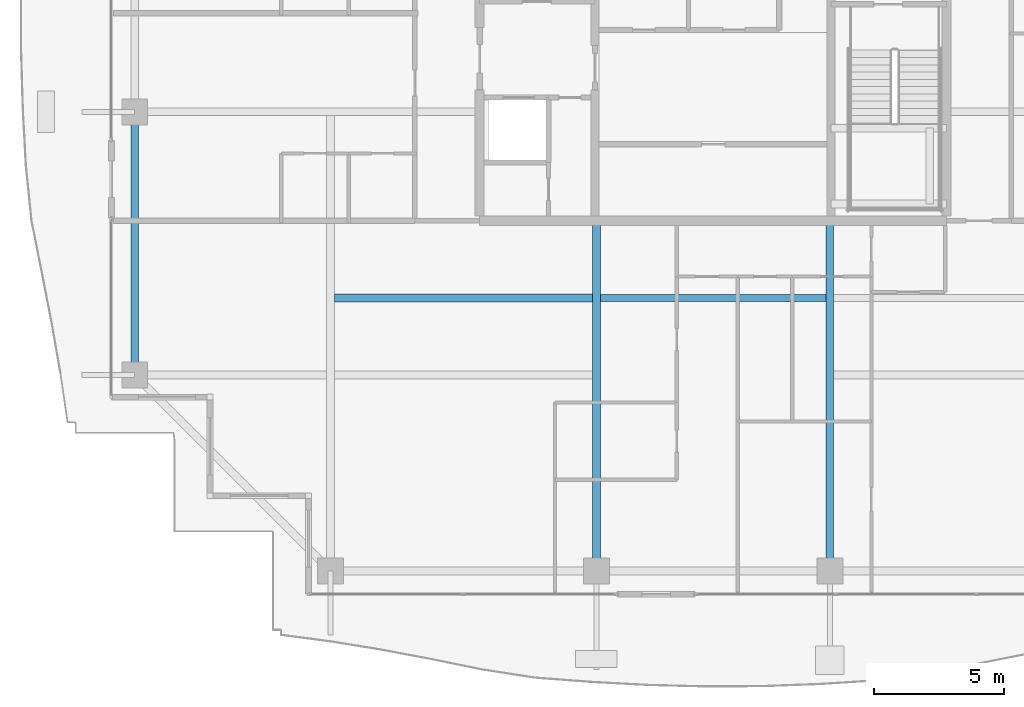
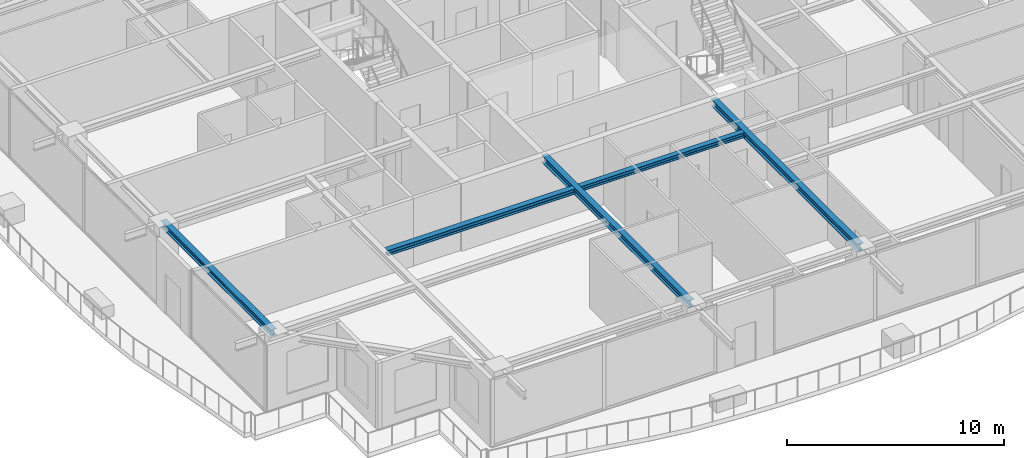
# One storey, part 6 of 37: 5 beams.
"""IFC4 building model written with IfcOpenShell, lengths in metres."""

from ifc_helpers import new_model, si_unit, direction, frame, origin, origin_2d, place, context, subcontext, project, spatial, i_section, extrude, source, transform, mapped, material, material_profile, profile_set, type_object, element, save


model = new_model("IFC4")

# Units and contexts
model_context = context("Model", 3, precision=1e-05, world=origin(), true_north=direction((0.0, 1.0)))
body_context = subcontext(model_context, "Body", "Model", "MODEL_VIEW")
ifc_project = project(units=[si_unit("LENGTHUNIT", "METRE"), si_unit("AREAUNIT", "SQUARE_METRE"), si_unit("VOLUMEUNIT", "CUBIC_METRE"), si_unit("PLANEANGLEUNIT", "RADIAN"), si_unit("MASSUNIT", "GRAM", prefix="KILO")], contexts=[model_context])

# Site, building, storey
site_placement = place(None, origin())
site = spatial("IfcSite", under=ifc_project, at=site_placement, CompositionType="ELEMENT")
building_placement = place(site_placement, origin())
building = spatial("IfcBuilding", under=site, at=building_placement, Name="Serunith Strait Residences", CompositionType="ELEMENT")
storey_placement = place(building_placement, frame((0.0, 0.0, 305.60009765625)))
storey = spatial("IfcBuildingStorey", under=building, at=storey_placement, Name="L76", CompositionType="ELEMENT", Elevation=305.60009765625)

# Beams
ifc_material = material(Name="Steel S355J2", Category="steel")
ifc_material_profile_1 = material_profile(ifc_material, i_section(OverallWidth=0.280029296875, OverallDepth=0.280029296875, WebThickness=0.010498046875, FlangeThickness=0.01806640625, FilletRadius=0.02392578125, at=origin_2d()), Name="HEB 280")
ifc_profile_set_1 = profile_set([ifc_material_profile_1], Name="Steel S355J2")
beam_type_1 = type_object("IfcBeamType", Name="BM-HEB280", PredefinedType="JOIST", material=ifc_profile_set_1)
shared_shape_1 = source(origin(), body_context, "Body", "SweptSolid", [
    extrude(i_section(OverallWidth=0.280029296875, OverallDepth=0.280029296875, WebThickness=0.010498046875, FlangeThickness=0.01806640625, FilletRadius=0.02392578125, at=origin_2d()), origin(), (0.0, 0.0, 1.0), 8.699951171875),
])
beam_1_placement = place(storey_placement, frame((28.050048828125, 13.824951171875, 3.64697265625), z_axis=(1.0, 0.0, 0.0), x_axis=(0.0, 1.0, 0.0)))
element("IfcBeam", 1, at=beam_1_placement, inside=storey, type_object=beam_type_1, Name="L76 Composite Floor Joist 02", PredefinedType="JOIST", context=body_context, shape_type="MappedRepresentation", body=[
    mapped(shared_shape_1, transform((0.0, 0.0, 0.0), scale=1.0)),
])
ifc_material_profile_2 = material_profile(ifc_material, i_section(OverallWidth=0.300048828125, OverallDepth=0.300048828125, WebThickness=0.010986328125, FlangeThickness=0.01904296875, FilletRadius=0.027099609375, at=origin_2d()), Name="HEB 300")
ifc_profile_set_2 = profile_set([ifc_material_profile_2], Name="Steel S355J2")
beam_type_2 = type_object("IfcBeamType", Name="BM-HEB300", PredefinedType="JOIST", material=ifc_profile_set_2)
shared_shape_2 = source(origin(), body_context, "Body", "SweptSolid", [
    extrude(i_section(OverallWidth=0.300048828125, OverallDepth=0.300048828125, WebThickness=0.010986328125, FlangeThickness=0.01904296875, FilletRadius=0.027099609375, at=origin_2d()), origin(), (0.0, 0.0, 1.0), 9.949951171875),
])
beam_2_placement = place(storey_placement, frame((17.800048828125, 13.824951171875, 3.636962890625), z_axis=(1.0, 0.0, 0.0), x_axis=(0.0, 1.0, 0.0)))
element("IfcBeam", 2, at=beam_2_placement, inside=storey, type_object=beam_type_2, Name="L76 Composite Floor Joist 01", PredefinedType="JOIST", context=body_context, shape_type="MappedRepresentation", body=[
    mapped(shared_shape_2, transform((0.0, 0.0, 0.0), scale=1.0)),
])
ifc_material_profile_3 = material_profile(ifc_material, i_section(OverallWidth=0.300048828125, OverallDepth=0.39990234375, WebThickness=0.013427734375, FlangeThickness=0.02392578125, FilletRadius=0.027099609375, at=origin_2d()), Name="HEB 400")
ifc_profile_set_3 = profile_set([ifc_material_profile_3], Name="Steel S355J2")
beam_type_3 = type_object("IfcBeamType", Name="BM-HEB400", PredefinedType="BEAM", material=ifc_profile_set_3)
shared_shape_3 = source(origin(), body_context, "Body", "SweptSolid", [
    extrude(i_section(OverallWidth=0.300048828125, OverallDepth=0.39990234375, WebThickness=0.013427734375, FlangeThickness=0.02392578125, FilletRadius=0.027099609375, at=origin_2d()), origin(), (0.0, 0.0, 1.0), 13.5),
])
for number, where, z_axis, x_axis, name in (
    (3, (27.89990234375, 16.800048828125, 3.5869140625), (0.0, -1.0, 0.0), (1.0, 0.0, 0.0), "L76 Primary Floor Girder TC-S2"),
    (4, (36.89990234375, 16.800048828125, 3.5869140625), (0.0, -1.0, 0.0), (1.0, 0.0, 0.0), "L76 Primary Floor Girder TC-S3"),
):
    element("IfcBeam", number, at=place(storey_placement, frame(where, z_axis=z_axis, x_axis=x_axis)), inside=storey, type_object=beam_type_3, Name=name, PredefinedType="BEAM", context=body_context, shape_type="MappedRepresentation", body=[
        mapped(shared_shape_3, transform((0.0, 0.0, 0.0), scale=1.0)),
    ])
ifc_material_profile_4 = material_profile(ifc_material, i_section(OverallWidth=0.300048828125, OverallDepth=0.360107421875, WebThickness=0.012451171875, FlangeThickness=0.0224609375, FilletRadius=0.027099609375, at=origin_2d()), Name="HEB 360")
ifc_profile_set_4 = profile_set([ifc_material_profile_4], Name="Steel S355J2")
beam_type_4 = type_object("IfcBeamType", Name="BM-HEB360", PredefinedType="BEAM", material=ifc_profile_set_4)
shared_shape_4 = source(origin(), body_context, "Body", "SweptSolid", [
    extrude(i_section(OverallWidth=0.300048828125, OverallDepth=0.360107421875, WebThickness=0.012451171875, FlangeThickness=0.0224609375, FilletRadius=0.027099609375, at=origin_2d()), origin(), (0.0, 0.0, 1.0), 10.14990234375),
])
beam_3_placement = place(storey_placement, frame((10.10009765625, 21.0, 3.60693359375), z_axis=(0.0, -1.0, 0.0), x_axis=(1.0, 0.0, 0.0)))
element("IfcBeam", 5, at=beam_3_placement, inside=storey, type_object=beam_type_4, Name="L76 Perimeter Ring Beam 15", PredefinedType="BEAM", context=body_context, shape_type="MappedRepresentation", body=[
    mapped(shared_shape_4, transform((0.0, 0.0, 0.0), scale=1.0)),
])

save(model, "model.ifc")
